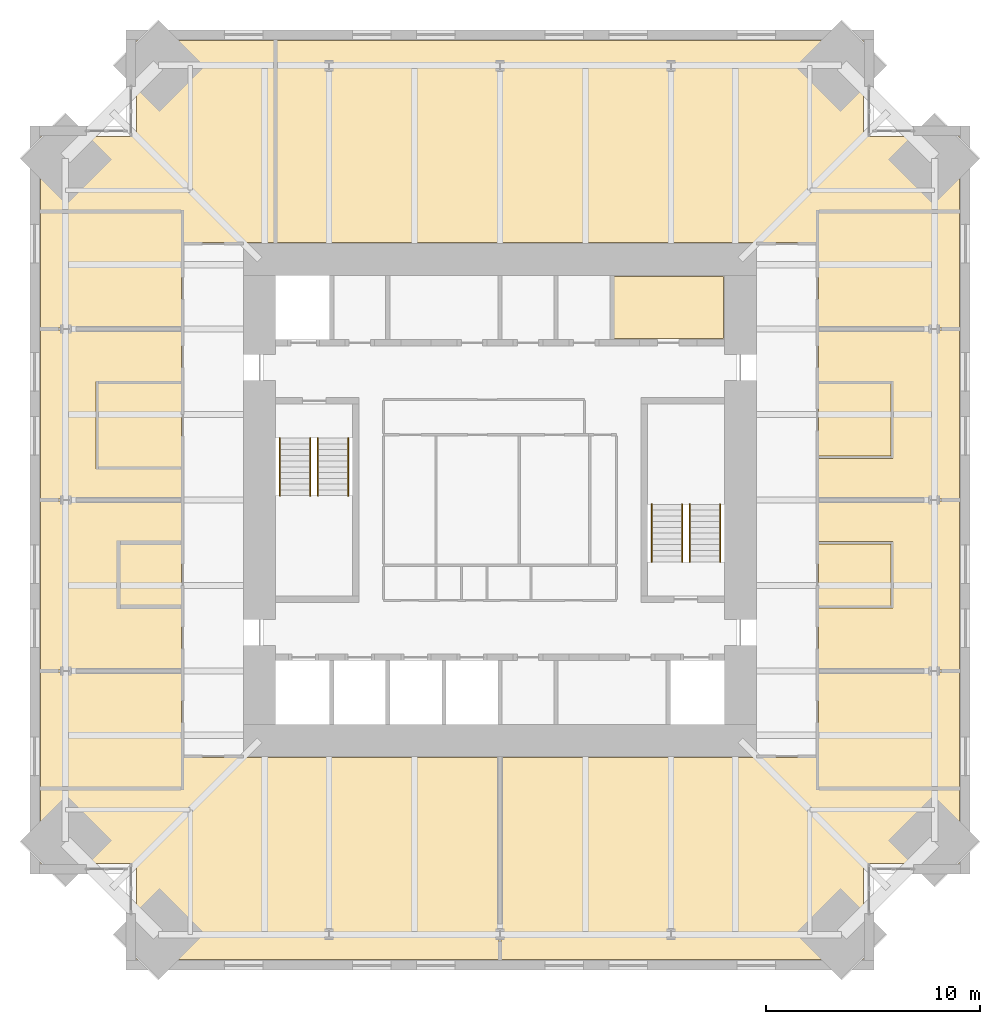
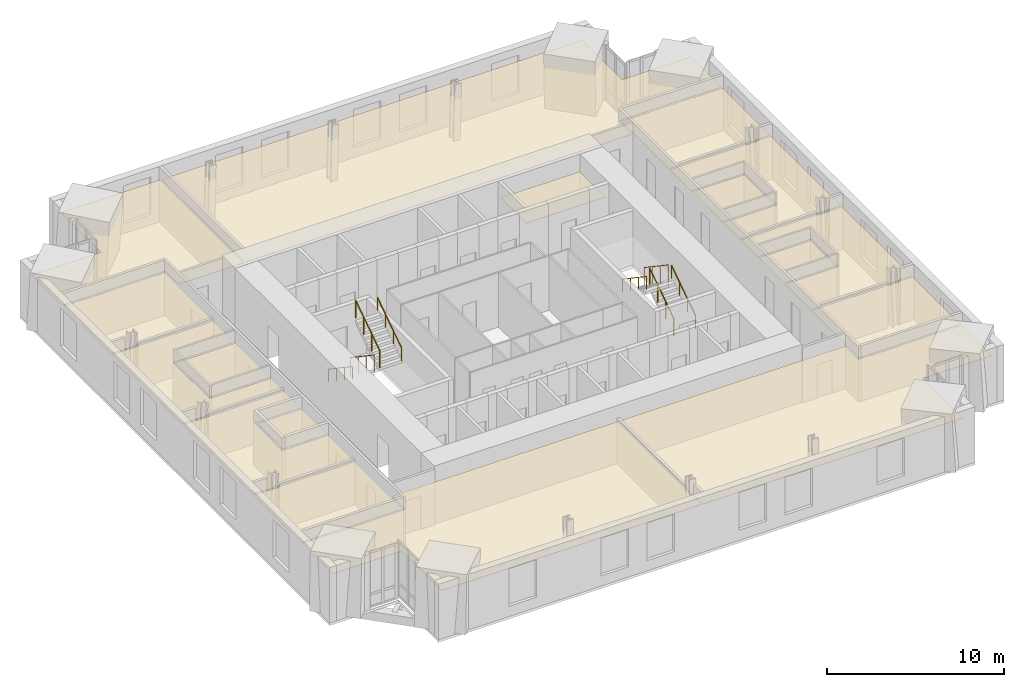
# One storey, part 16 of 16: 17 coverings, 8 railings.
"""IFC4 building model written with IfcOpenShell, lengths in metres."""

from ifc_helpers import new_model, si_unit, direction, frame, origin, origin_2d, place, context, subcontext, project, spatial, polyline, circle, outline, extrude, material, layer, layer_set, type_object, element, save


model = new_model("IFC4")

# Units and contexts
model_context = context("Model", 3, precision=1e-05, world=origin(), true_north=direction((0.0, 1.0)))
body_context = subcontext(model_context, "Body", "Model", "MODEL_VIEW")
ifc_project = project(units=[si_unit("LENGTHUNIT", "METRE"), si_unit("AREAUNIT", "SQUARE_METRE"), si_unit("VOLUMEUNIT", "CUBIC_METRE"), si_unit("PLANEANGLEUNIT", "RADIAN"), si_unit("MASSUNIT", "GRAM", prefix="KILO")], contexts=[model_context])

# Site, building, storey
site_placement = place(None, origin())
site = spatial("IfcSite", under=ifc_project, at=site_placement, CompositionType="ELEMENT")
building_placement = place(site_placement, origin())
building = spatial("IfcBuilding", under=site, at=building_placement, Name="Peilmerk Tower", CompositionType="ELEMENT")
storey_placement = place(building_placement, frame((0.0, 0.0, 261.800048828125)))
storey = spatial("IfcBuildingStorey", under=building, at=storey_placement, Name="L58", CompositionType="ELEMENT", Elevation=261.800048828125)

# Coverings
ifc_material_1 = material(Name="Mineral fibre ceiling tiles", Category="mineral")
ifc_layer = layer(ifc_material_1, 0.02490234375)
ifc_layer_set = layer_set([ifc_layer], Name="Mineral fibre ceiling tiles")
covering_type = type_object("IfcCoveringType", Name="CL1 25 suspended ceiling", PredefinedType="CEILING", material=ifc_layer_set)
covering_1_placement = place(storey_placement, frame((0.0, 0.0, 2.905029296875)))
element("IfcCovering", 1, at=covering_1_placement, inside=storey, type_object=covering_type, Name="Suspended ceiling Office", PredefinedType="CEILING", context=body_context, shape_type="SweptSolid", body=[
    extrude(outline(polyline([(-21.5, 17.0), (-21.5, 13.550048828125), (-14.800048828125, 13.550048828125), (-14.800048828125, 12.050048828125), (-10.550048828125, 12.050048828125), (-10.550048828125, 21.5), (-17.0, 21.5), (-17.0, 17.0), (-21.5, 17.0)])), origin(), (0.0, 0.0, 1.0), 0.02490234375),
])
covering_2_placement = place(storey_placement, frame((0.0, 0.0, 2.905029296875)))
element("IfcCovering", 2, at=covering_2_placement, inside=storey, type_object=covering_type, Name="Suspended ceiling Office", PredefinedType="CEILING", context=body_context, shape_type="SweptSolid", body=[
    extrude(outline(polyline([(17.0, 21.5), (-10.449951171875, 21.5), (-10.449951171875, 12.050048828125), (14.800048828125, 12.050048828125), (14.800048828125, 13.550048828125), (21.5, 13.550048828125), (21.5, 17.0), (17.0, 17.0), (17.0, 21.5)])), origin(), (0.0, 0.0, 1.0), 0.02490234375),
])
covering_3_placement = place(storey_placement, frame((0.0, 0.0, 2.905029296875)))
element("IfcCovering", 3, at=covering_3_placement, inside=storey, type_object=covering_type, Name="Suspended ceiling Office", PredefinedType="CEILING", context=body_context, shape_type="SweptSolid", body=[
    extrude(outline(polyline([(-17.0, -21.5), (-0.050048828125, -21.5), (-0.050048828125, -12.050048828125), (-14.800048828125, -12.050048828125), (-14.800048828125, -13.550048828125), (-21.5, -13.550048828125), (-21.5, -17.0), (-17.0, -17.0), (-17.0, -21.5)])), origin(), (0.0, 0.0, 1.0), 0.02490234375),
])
covering_4_placement = place(storey_placement, frame((0.0, 0.0, 2.905029296875)))
element("IfcCovering", 4, at=covering_4_placement, inside=storey, type_object=covering_type, Name="Suspended ceiling Office", PredefinedType="CEILING", context=body_context, shape_type="SweptSolid", body=[
    extrude(outline(polyline([(0.050048828125, -21.5), (17.0, -21.5), (17.0, -17.0), (21.5, -17.0), (21.5, -13.550048828125), (14.800048828125, -13.550048828125), (14.800048828125, -12.050048828125), (0.050048828125, -12.050048828125), (0.050048828125, -21.5)])), origin(), (0.0, 0.0, 1.0), 0.02490234375),
])
covering_5_placement = place(storey_placement, frame((0.0, 0.0, 2.905029296875)))
element("IfcCovering", 5, at=covering_5_placement, inside=storey, type_object=covering_type, Name="Suspended ceiling Office", PredefinedType="CEILING", context=body_context, shape_type="SweptSolid", body=[
    extrude(outline(polyline([(21.5, -13.449951171875), (21.5, -8.050048828125), (14.89990234375, -8.050048828125), (14.89990234375, -13.449951171875), (21.5, -13.449951171875)])), origin(), (0.0, 0.0, 1.0), 0.02490234375),
])
covering_6_placement = place(storey_placement, frame((0.0, 0.0, 2.905029296875)))
element("IfcCovering", 6, at=covering_6_placement, inside=storey, type_object=covering_type, Name="Suspended ceiling Office", PredefinedType="CEILING", context=body_context, shape_type="SweptSolid", body=[
    extrude(outline(polyline([(14.89990234375, -7.949951171875), (21.5, -7.949951171875), (21.5, -0.050048828125), (14.89990234375, -0.050048828125), (14.89990234375, -1.949951171875), (18.39990234375, -1.949951171875), (18.39990234375, -5.050048828125), (14.89990234375, -5.050048828125), (14.89990234375, -7.949951171875)])), origin(), (0.0, 0.0, 1.0), 0.02490234375),
])
covering_7_placement = place(storey_placement, frame((0.0, 0.0, 2.905029296875)))
element("IfcCovering", 7, at=covering_7_placement, inside=storey, type_object=covering_type, Name="Suspended ceiling Office", PredefinedType="CEILING", context=body_context, shape_type="SweptSolid", body=[
    extrude(outline(polyline([(14.89990234375, 0.050048828125), (21.5, 0.050048828125), (21.5, 7.949951171875), (14.89990234375, 7.949951171875), (14.89990234375, 5.550048828125), (18.39990234375, 5.550048828125), (18.39990234375, 1.949951171875), (14.89990234375, 1.949951171875), (14.89990234375, 0.050048828125)])), origin(), (0.0, 0.0, 1.0), 0.02490234375),
])
covering_8_placement = place(storey_placement, frame((0.0, 0.0, 2.905029296875)))
element("IfcCovering", 8, at=covering_8_placement, inside=storey, type_object=covering_type, Name="Suspended ceiling Office", PredefinedType="CEILING", context=body_context, shape_type="SweptSolid", body=[
    extrude(outline(polyline([(21.5, 8.050048828125), (21.5, 13.449951171875), (14.89990234375, 13.449951171875), (14.89990234375, 8.050048828125), (21.5, 8.050048828125)])), origin(), (0.0, 0.0, 1.0), 0.02490234375),
])
covering_9_placement = place(storey_placement, frame((0.0, 0.0, 2.905029296875)))
element("IfcCovering", 9, at=covering_9_placement, inside=storey, type_object=covering_type, Name="Suspended ceiling Pantry", PredefinedType="CEILING", context=body_context, shape_type="SweptSolid", body=[
    extrude(outline(polyline([(18.300048828125, 2.050048828125), (18.300048828125, 5.449951171875), (14.89990234375, 5.449951171875), (14.89990234375, 2.050048828125), (18.300048828125, 2.050048828125)])), origin(), (0.0, 0.0, 1.0), 0.02490234375),
])
covering_10_placement = place(storey_placement, frame((0.0, 0.0, 2.905029296875)))
element("IfcCovering", 10, at=covering_10_placement, inside=storey, type_object=covering_type, Name="Suspended ceiling Focus room", PredefinedType="CEILING", context=body_context, shape_type="SweptSolid", body=[
    extrude(outline(polyline([(18.300048828125, -4.949951171875), (18.300048828125, -2.050048828125), (14.89990234375, -2.050048828125), (14.89990234375, -4.949951171875), (18.300048828125, -4.949951171875)])), origin(), (0.0, 0.0, 1.0), 0.02490234375),
])
covering_11_placement = place(storey_placement, frame((0.0, 0.0, 2.905029296875)))
element("IfcCovering", 11, at=covering_11_placement, inside=storey, type_object=covering_type, Name="Suspended ceiling Office", PredefinedType="CEILING", context=body_context, shape_type="SweptSolid", body=[
    extrude(outline(polyline([(-21.5, -8.050048828125), (-21.5, -13.449951171875), (-14.89990234375, -13.449951171875), (-14.89990234375, -8.050048828125), (-21.5, -8.050048828125)])), origin(), (0.0, 0.0, 1.0), 0.02490234375),
])
covering_12_placement = place(storey_placement, frame((0.0, 0.0, 2.905029296875)))
element("IfcCovering", 12, at=covering_12_placement, inside=storey, type_object=covering_type, Name="Suspended ceiling Office", PredefinedType="CEILING", context=body_context, shape_type="SweptSolid", body=[
    extrude(outline(polyline([(-14.89990234375, -0.050048828125), (-21.5, -0.050048828125), (-21.5, -7.949951171875), (-14.89990234375, -7.949951171875), (-14.89990234375, -5.050048828125), (-17.89990234375, -5.050048828125), (-17.89990234375, -1.949951171875), (-14.89990234375, -1.949951171875), (-14.89990234375, -0.050048828125)])), origin(), (0.0, 0.0, 1.0), 0.02490234375),
])
covering_13_placement = place(storey_placement, frame((0.0, 0.0, 2.905029296875)))
element("IfcCovering", 13, at=covering_13_placement, inside=storey, type_object=covering_type, Name="Suspended ceiling Office", PredefinedType="CEILING", context=body_context, shape_type="SweptSolid", body=[
    extrude(outline(polyline([(-14.89990234375, 7.949951171875), (-21.5, 7.949951171875), (-21.5, 0.050048828125), (-14.89990234375, 0.050048828125), (-14.89990234375, 1.449951171875), (-18.89990234375, 1.449951171875), (-18.89990234375, 5.550048828125), (-14.89990234375, 5.550048828125), (-14.89990234375, 7.949951171875)])), origin(), (0.0, 0.0, 1.0), 0.02490234375),
])
covering_14_placement = place(storey_placement, frame((0.0, 0.0, 2.905029296875)))
element("IfcCovering", 14, at=covering_14_placement, inside=storey, type_object=covering_type, Name="Suspended ceiling Office", PredefinedType="CEILING", context=body_context, shape_type="SweptSolid", body=[
    extrude(outline(polyline([(-21.5, 13.449951171875), (-21.5, 8.050048828125), (-14.89990234375, 8.050048828125), (-14.89990234375, 13.449951171875), (-21.5, 13.449951171875)])), origin(), (0.0, 0.0, 1.0), 0.02490234375),
])
covering_15_placement = place(storey_placement, frame((0.0, 0.0, 2.905029296875)))
element("IfcCovering", 15, at=covering_15_placement, inside=storey, type_object=covering_type, Name="Suspended ceiling Meeting room", PredefinedType="CEILING", context=body_context, shape_type="SweptSolid", body=[
    extrude(outline(polyline([(-14.89990234375, 1.550048828125), (-14.89990234375, 5.449951171875), (-18.800048828125, 5.449951171875), (-18.800048828125, 1.550048828125), (-14.89990234375, 1.550048828125)])), origin(), (0.0, 0.0, 1.0), 0.02490234375),
])
covering_16_placement = place(storey_placement, frame((0.0, 0.0, 2.905029296875)))
element("IfcCovering", 16, at=covering_16_placement, inside=storey, type_object=covering_type, Name="Suspended ceiling Print room", PredefinedType="CEILING", context=body_context, shape_type="SweptSolid", body=[
    extrude(outline(polyline([(-14.89990234375, -4.949951171875), (-14.89990234375, -2.050048828125), (-17.800048828125, -2.050048828125), (-17.800048828125, -4.949951171875), (-14.89990234375, -4.949951171875)])), origin(), (0.0, 0.0, 1.0), 0.02490234375),
])
covering_17_placement = place(storey_placement, frame((0.0, 0.0, 2.824951171875)))
element("IfcCovering", 17, at=covering_17_placement, inside=storey, type_object=covering_type, Name="Suspended ceiling Pantry", PredefinedType="CEILING", context=body_context, shape_type="SweptSolid", body=[
    extrude(outline(polyline([(10.448974609375, 7.551025390625), (10.448974609375, 10.448974609375), (5.301025390625, 10.448974609375), (5.301025390625, 7.551025390625), (10.448974609375, 7.551025390625)])), origin(), (0.0, 0.0, 1.0), 0.02490234375),
])

# Railings
ifc_material_2 = material(Name="Steel flat bar balustrade", Category="steel")
railing_type_1 = type_object("IfcRailingType", Name="GR1 1200 stair guard", PredefinedType="GUARDRAIL", material=ifc_material_2)
railing_1_placement = place(storey_placement, frame((-8.8798828125, 2.89990234375, 0.181884765625)))
element("IfcRailing", 18, at=railing_1_placement, inside=storey, type_object=railing_type_1, Name="Guard stair 1 L58", PredefinedType="GUARDRAIL", context=body_context, shape_type="SweptSolid", body=[
    extrude(circle(Radius=0.02392578125, at=origin_2d()), frame((0.0, 0.0, 1.17578125), z_axis=(0.0, -0.829468130872, 0.55855404382), x_axis=(1.0, 0.0, 0.0)), (0.0, 0.0, 1.0), 3.255126953125),
    extrude(circle(Radius=0.02099609375, at=origin_2d()), origin(), (0.0, 0.0, 1.0), 1.15185546875),
    extrude(circle(Radius=0.02099609375, at=origin_2d()), frame((0.0, -0.89990234375, 0.60595703125)), (0.0, 0.0, 1.0), 1.15185546875),
    extrude(circle(Radius=0.02099609375, at=origin_2d()), frame((0.0, -1.800048828125, 1.212158203125)), (0.0, 0.0, 1.0), 1.15185546875),
    extrude(circle(Radius=0.02099609375, at=origin_2d()), frame((0.0, -2.699951171875, 1.818115234375)), (0.0, 0.0, 1.0), 1.15185546875),
])
for number, where, name in (
    (19, (-8.52001953125, 0.199951171875, 2.181884765625), "Guard stair 1 L58"),
    (20, (8.8798828125, -2.89990234375, 0.181884765625), "Guard stair 2 L58"),
):
    element("IfcRailing", number, at=place(storey_placement, frame(where)), inside=storey, type_object=railing_type_1, Name=name, PredefinedType="GUARDRAIL", context=body_context, shape_type="SweptSolid", body=[
        extrude(circle(Radius=0.02392578125, at=origin_2d()), frame((0.0, 0.0, 1.17578125), z_axis=(0.0, 0.829468130872, 0.55855404382), x_axis=(-1.0, 0.0, 0.0)), (0.0, 0.0, 1.0), 3.255126953125),
        extrude(circle(Radius=0.02099609375, at=origin_2d()), origin(), (0.0, 0.0, 1.0), 1.15185546875),
        extrude(circle(Radius=0.02099609375, at=origin_2d()), frame((0.0, 0.89990234375, 0.60595703125)), (0.0, 0.0, 1.0), 1.15185546875),
        extrude(circle(Radius=0.02099609375, at=origin_2d()), frame((0.0, 1.800048828125, 1.212158203125)), (0.0, 0.0, 1.0), 1.15185546875),
        extrude(circle(Radius=0.02099609375, at=origin_2d()), frame((0.0, 2.699951171875, 1.818115234375)), (0.0, 0.0, 1.0), 1.15185546875),
    ])
railing_2_placement = place(storey_placement, frame((8.52001953125, -0.199951171875, 2.181884765625)))
element("IfcRailing", 21, at=railing_2_placement, inside=storey, type_object=railing_type_1, Name="Guard stair 2 L58", PredefinedType="GUARDRAIL", context=body_context, shape_type="SweptSolid", body=[
    extrude(circle(Radius=0.02392578125, at=origin_2d()), frame((0.0, 0.0, 1.17578125), z_axis=(0.0, -0.829468130872, 0.55855404382), x_axis=(1.0, 0.0, 0.0)), (0.0, 0.0, 1.0), 3.255126953125),
    extrude(circle(Radius=0.02099609375, at=origin_2d()), origin(), (0.0, 0.0, 1.0), 1.15185546875),
    extrude(circle(Radius=0.02099609375, at=origin_2d()), frame((0.0, -0.89990234375, 0.60595703125)), (0.0, 0.0, 1.0), 1.15185546875),
    extrude(circle(Radius=0.02099609375, at=origin_2d()), frame((0.0, -1.800048828125, 1.212158203125)), (0.0, 0.0, 1.0), 1.15185546875),
    extrude(circle(Radius=0.02099609375, at=origin_2d()), frame((0.0, -2.699951171875, 1.818115234375)), (0.0, 0.0, 1.0), 1.15185546875),
])
ifc_material_3 = material(Name="Stainless steel tube", Category="steel")
railing_type_2 = type_object("IfcRailingType", Name="HR1 900 stair handrail", PredefinedType="HANDRAIL", material=ifc_material_3)
railing_3_placement = place(storey_placement, frame((-10.300048828125, 2.89990234375, 0.181884765625)))
element("IfcRailing", 22, at=railing_3_placement, inside=storey, type_object=railing_type_2, Name="Handrail stair 1 L58", PredefinedType="HANDRAIL", context=body_context, shape_type="SweptSolid", body=[
    extrude(circle(Radius=0.02392578125, at=origin_2d()), frame((0.0, 0.0, 0.8759765625), z_axis=(0.0, -0.829468130872, 0.55855404382), x_axis=(1.0, 0.0, 0.0)), (0.0, 0.0, 1.0), 3.255126953125),
    extrude(circle(Radius=0.02099609375, at=origin_2d()), origin(), (0.0, 0.0, 1.0), 0.851806640625),
    extrude(circle(Radius=0.02099609375, at=origin_2d()), frame((0.0, -0.89990234375, 0.60595703125)), (0.0, 0.0, 1.0), 0.851806640625),
    extrude(circle(Radius=0.02099609375, at=origin_2d()), frame((0.0, -1.800048828125, 1.212158203125)), (0.0, 0.0, 1.0), 0.851806640625),
    extrude(circle(Radius=0.02099609375, at=origin_2d()), frame((0.0, -2.699951171875, 1.818115234375)), (0.0, 0.0, 1.0), 0.851806640625),
])
for number, where, name in (
    (23, (-7.10009765625, 0.199951171875, 2.181884765625), "Handrail stair 1 L58"),
    (24, (10.300048828125, -2.89990234375, 0.181884765625), "Handrail stair 2 L58"),
):
    element("IfcRailing", number, at=place(storey_placement, frame(where)), inside=storey, type_object=railing_type_2, Name=name, PredefinedType="HANDRAIL", context=body_context, shape_type="SweptSolid", body=[
        extrude(circle(Radius=0.02392578125, at=origin_2d()), frame((0.0, 0.0, 0.8759765625), z_axis=(0.0, 0.829468130872, 0.55855404382), x_axis=(-1.0, 0.0, 0.0)), (0.0, 0.0, 1.0), 3.255126953125),
        extrude(circle(Radius=0.02099609375, at=origin_2d()), origin(), (0.0, 0.0, 1.0), 0.851806640625),
        extrude(circle(Radius=0.02099609375, at=origin_2d()), frame((0.0, 0.89990234375, 0.60595703125)), (0.0, 0.0, 1.0), 0.851806640625),
        extrude(circle(Radius=0.02099609375, at=origin_2d()), frame((0.0, 1.800048828125, 1.212158203125)), (0.0, 0.0, 1.0), 0.851806640625),
        extrude(circle(Radius=0.02099609375, at=origin_2d()), frame((0.0, 2.699951171875, 1.818115234375)), (0.0, 0.0, 1.0), 0.851806640625),
    ])
railing_4_placement = place(storey_placement, frame((7.10009765625, -0.199951171875, 2.181884765625)))
element("IfcRailing", 25, at=railing_4_placement, inside=storey, type_object=railing_type_2, Name="Handrail stair 2 L58", PredefinedType="HANDRAIL", context=body_context, shape_type="SweptSolid", body=[
    extrude(circle(Radius=0.02392578125, at=origin_2d()), frame((0.0, 0.0, 0.8759765625), z_axis=(0.0, -0.829468130872, 0.55855404382), x_axis=(1.0, 0.0, 0.0)), (0.0, 0.0, 1.0), 3.255126953125),
    extrude(circle(Radius=0.02099609375, at=origin_2d()), origin(), (0.0, 0.0, 1.0), 0.851806640625),
    extrude(circle(Radius=0.02099609375, at=origin_2d()), frame((0.0, -0.89990234375, 0.60595703125)), (0.0, 0.0, 1.0), 0.851806640625),
    extrude(circle(Radius=0.02099609375, at=origin_2d()), frame((0.0, -1.800048828125, 1.212158203125)), (0.0, 0.0, 1.0), 0.851806640625),
    extrude(circle(Radius=0.02099609375, at=origin_2d()), frame((0.0, -2.699951171875, 1.818115234375)), (0.0, 0.0, 1.0), 0.851806640625),
])

save(model, "model.ifc")
